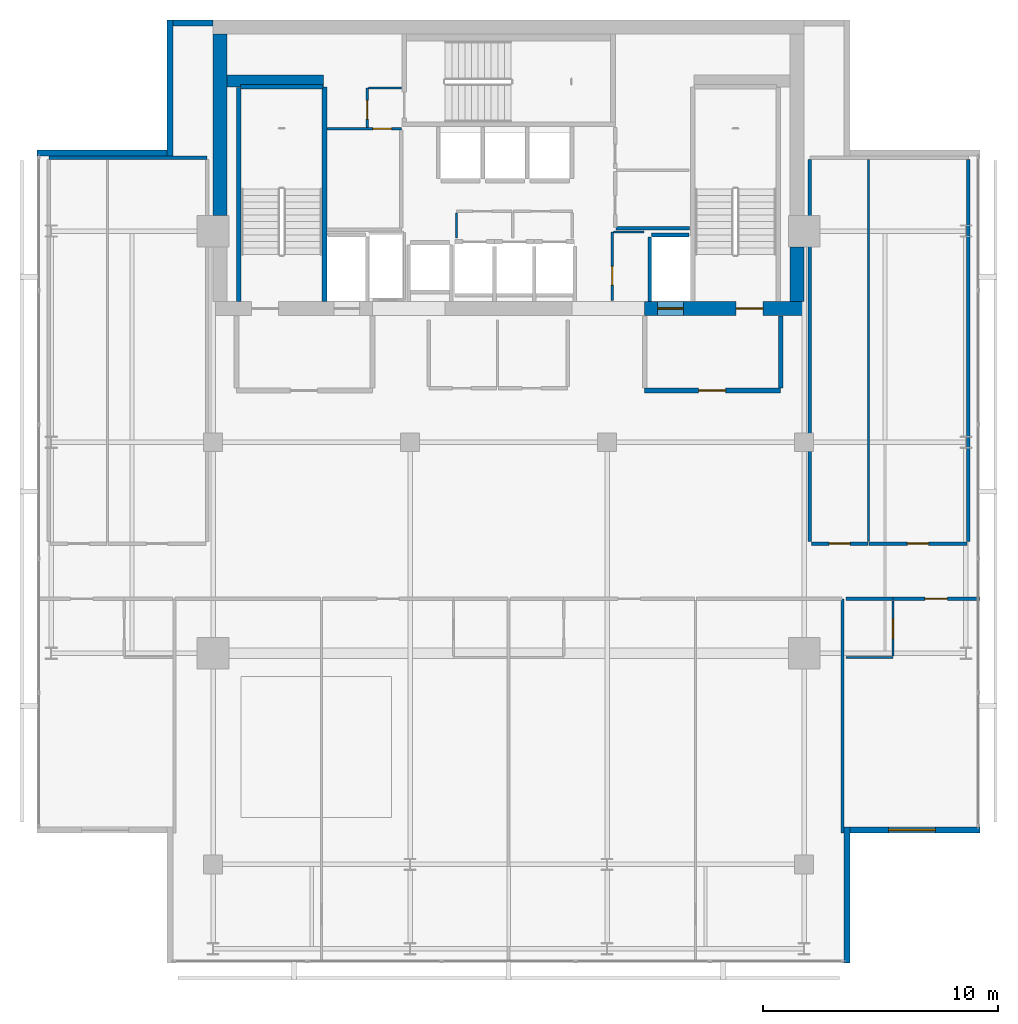
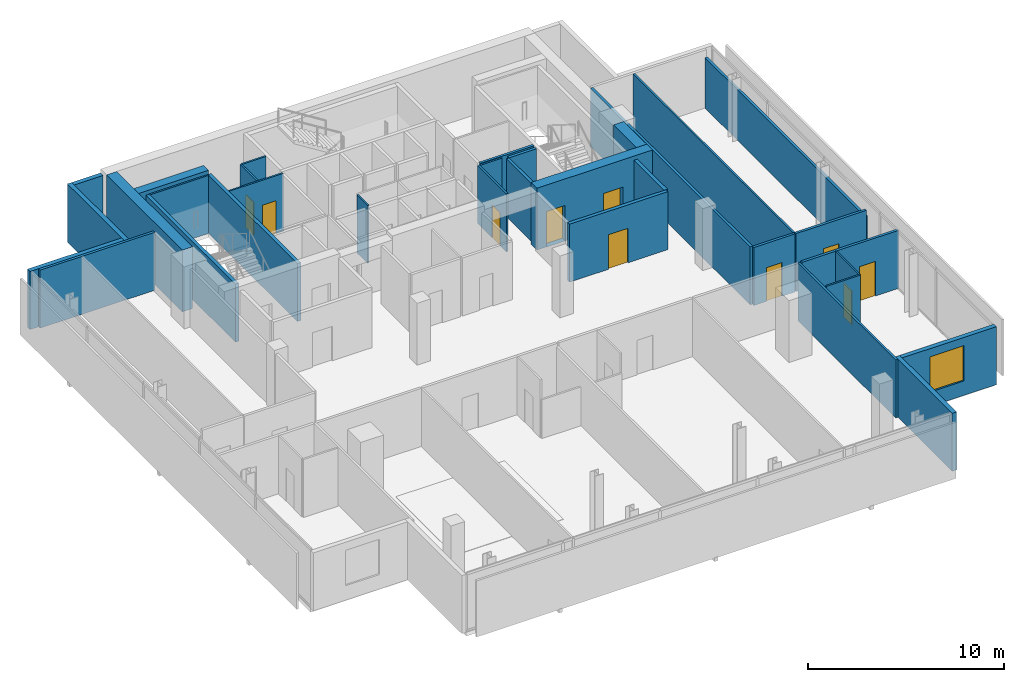
# One storey, part 18 of 23: 34 walls, 10 doors, 1 window, 11 openings.
"""IFC4 building model written with IfcOpenShell, lengths in metres."""

from ifc_helpers import new_model, si_unit, direction, frame, frame_2d, origin, place, context, subcontext, project, spatial, rectangle, extrude, material, layer, layer_set, type_object, element, fill, save


model = new_model("IFC4")

# Units and contexts
model_context = context("Model", 3, precision=1e-05, world=origin(), true_north=direction((0.0, 1.0)))
body_context = subcontext(model_context, "Body", "Model", "MODEL_VIEW")
ifc_project = project(units=[si_unit("LENGTHUNIT", "METRE"), si_unit("AREAUNIT", "SQUARE_METRE"), si_unit("VOLUMEUNIT", "CUBIC_METRE"), si_unit("PLANEANGLEUNIT", "RADIAN"), si_unit("MASSUNIT", "GRAM", prefix="KILO")], contexts=[model_context])

# Site, building, storey
site_placement = place(None, origin())
site = spatial("IfcSite", under=ifc_project, at=site_placement, CompositionType="ELEMENT")
building_placement = place(site_placement, origin())
building = spatial("IfcBuilding", under=site, at=building_placement, Name="Maruvema Waterfront Hotel and Observation Tower", CompositionType="ELEMENT")
storey_placement = place(building_placement, frame((0.0, 0.0, 337.39990234375)))
storey = spatial("IfcBuildingStorey", under=building, at=storey_placement, Name="L83", CompositionType="ELEMENT", Elevation=337.39990234375)

# Walls
ifc_material_1 = material(Name="Twin-stud acoustic gypsum drywall", Category="gypsum")
ifc_layer_1 = layer(ifc_material_1, 0.14990234375, Name="Acoustic Corridor and Suite Demising Wall 150 mm")
ifc_layer_set_1 = layer_set([ifc_layer_1], Name="Twin-stud acoustic gypsum drywall")
wall_type_1 = type_object("IfcWallType", Name="Acoustic Corridor and Suite Demising Wall 150 mm", PredefinedType="PARTITIONING", material=ifc_layer_set_1)
wall_1_placement = place(storey_placement, frame((42.3798828125, 45.1201171875, 0.0), z_axis=(0.0, 0.0, 1.0), x_axis=(1.0, 0.0, 0.0)))
element("IfcWall", 1, at=wall_1_placement, inside=storey, type_object=wall_type_1, Name="L83 Freed B2 South Wall 025", PredefinedType="PARTITIONING", context=body_context, shape_type="SweptSolid", body=[
    extrude(rectangle(XDim=3.14013671875, YDim=0.14990234375, at=frame_2d((1.570068359375, 0.0))), origin(), (0.0, 0.0, 1.0), 3.610107421875),
])
wall_2_placement = place(storey_placement, frame((18.199951171875, 48.125, 0.0), z_axis=(0.0, 0.0, 1.0), x_axis=(1.0, 0.0, 0.0)))
element("IfcWall", 2, at=wall_2_placement, inside=storey, type_object=wall_type_1, Name="L83 L83-Z4W Back Wall 031", PredefinedType="PARTITIONING", context=body_context, shape_type="SweptSolid", body=[
    extrude(rectangle(XDim=6.75, YDim=0.14990234375, at=frame_2d((3.375, 0.0))), origin(), (0.0, 0.0, 1.0), 3.610107421875),
])
wall_3_placement = place(storey_placement, frame((50.64990234375, 31.760009765625, 0.0), z_axis=(0.0, 0.0, 1.0), x_axis=(0.0, 1.0, 0.0)))
element("IfcWall", 3, at=wall_3_placement, inside=storey, type_object=wall_type_1, Name="L83 L83-Z4E West Wall 038", PredefinedType="PARTITIONING", context=body_context, shape_type="SweptSolid", body=[
    extrude(rectangle(XDim=16.284912109375, YDim=0.14990234375, at=frame_2d((8.142578125, 0.0))), origin(), (0.0, 0.0, 1.0), 3.610107421875),
])
wall_4_placement = place(storey_placement, frame((57.39990234375, 31.760009765625, 0.0), z_axis=(0.0, 0.0, 1.0), x_axis=(0.0, 1.0, 0.0)))
element("IfcWall", 4, at=wall_4_placement, inside=storey, type_object=wall_type_1, Name="L83 L83-Z4E East Wall 039", PredefinedType="PARTITIONING", context=body_context, shape_type="SweptSolid", body=[
    extrude(rectangle(XDim=16.284912109375, YDim=0.14990234375, at=frame_2d((8.142578125, 0.0))), origin(), (0.0, 0.0, 1.0), 3.14111328125),
])

# Wall, opening, door
wall_5_placement = place(storey_placement, frame((50.7099609375, 31.679931640625, 0.0), z_axis=(0.0, 0.0, 1.0), x_axis=(1.0, 0.0, 0.0)))
wall_5 = element("IfcWall", 5, at=wall_5_placement, inside=storey, type_object=wall_type_1, Name="L83 L83-Z4E Front 1 040", PredefinedType="PARTITIONING", context=body_context, shape_type="SweptSolid", body=[
    extrude(rectangle(XDim=2.407470703125, YDim=0.14990234375, at=frame_2d((1.20361328125, 0.0))), origin(), (0.0, 0.0, 1.0), 3.610107421875),
])
opening_1_placement = place(wall_5_placement, frame((0.753662109375, 0.0, 0.0)))
opening_1 = element("IfcOpeningElement", 6, at=opening_1_placement, cuts=wall_5, Name="Opening DR-090", PredefinedType="OPENING", context=body_context, shape_type="SweptSolid", body=[
    extrude(rectangle(XDim=0.89990234375, YDim=2.10009765625, at=frame_2d((0.449951171875, 1.050048828125))), frame((0.0, 0.0849609375, 0.0), z_axis=(0.0, -1.0, 0.0), x_axis=(1.0, 0.0, 0.0)), (0.0, 0.0, 1.0), 0.169921875),
])
ifc_material_2 = material(Name="Solid-core lacquered timber leaf", Category="wood")
door_type_1 = type_object("IfcDoorType", Name="Accessible Toilet and Room Door 900x2100 mm", OperationType="NOTDEFINED", PredefinedType="DOOR", material=ifc_material_2)
door_1_placement = place(opening_1_placement, frame((0.89990234375, 0.0, 0.0), z_axis=(0.0, 0.0, 1.0), x_axis=(-1.0, 0.0, 0.0)))
door_1 = element("IfcDoor", 7, at=door_1_placement, inside=storey, type_object=door_type_1, Name="L83 Diplomatic Study Office 1 Door", OperationType="SINGLE_SWING_LEFT", OverallHeight=2.10009765625, OverallWidth=0.89990234375, PredefinedType="DOOR", context=body_context, shape_type="SweptSolid", body=[
    extrude(rectangle(XDim=0.89990234375, YDim=2.10009765625, at=frame_2d((0.449951171875, 1.050048828125))), frame((0.0, 0.02490234375, 0.0), z_axis=(0.0, -1.0, 0.0), x_axis=(1.0, 0.0, 0.0)), (0.0, 0.0, 1.0), 0.050048828125),
])
fill(opening_1, door_1)

wall_6_placement = place(storey_placement, frame((53.177490234375, 31.679931640625, 0.0), z_axis=(0.0, 0.0, 1.0), x_axis=(1.0, 0.0, 0.0)))
wall_6 = element("IfcWall", 8, at=wall_6_placement, inside=storey, type_object=wall_type_1, Name="L83 L83-Z4E Front 2 042", PredefinedType="PARTITIONING", context=body_context, shape_type="SweptSolid", body=[
    extrude(rectangle(XDim=4.16259765625, YDim=0.14990234375, at=frame_2d((2.081298828125, 0.0))), origin(), (0.0, 0.0, 1.0), 3.610107421875),
])
opening_2_placement = place(wall_6_placement, frame((1.63134765625, 0.0, 0.0)))
opening_2 = element("IfcOpeningElement", 9, at=opening_2_placement, cuts=wall_6, Name="Opening DR-090", PredefinedType="OPENING", context=body_context, shape_type="SweptSolid", body=[
    extrude(rectangle(XDim=0.89990234375, YDim=2.10009765625, at=frame_2d((0.449951171875, 1.050048828125))), frame((0.0, 0.0849609375, 0.0), z_axis=(0.0, -1.0, 0.0), x_axis=(1.0, 0.0, 0.0)), (0.0, 0.0, 1.0), 0.169921875),
])
door_2_placement = place(opening_2_placement, frame((0.89990234375, 0.0, 0.0), z_axis=(0.0, 0.0, 1.0), x_axis=(-1.0, 0.0, 0.0)))
door_2 = element("IfcDoor", 10, at=door_2_placement, inside=storey, type_object=door_type_1, Name="L83 Diplomatic Study Office 2 Door", OperationType="SINGLE_SWING_RIGHT", OverallHeight=2.10009765625, OverallWidth=0.89990234375, PredefinedType="DOOR", context=body_context, shape_type="SweptSolid", body=[
    extrude(rectangle(XDim=0.89990234375, YDim=2.10009765625, at=frame_2d((0.449951171875, 1.050048828125))), frame((0.0, 0.02490234375, 0.0), z_axis=(0.0, -1.0, 0.0), x_axis=(1.0, 0.0, 0.0)), (0.0, 0.0, 1.0), 0.050048828125),
])
fill(opening_2, door_2)

# Wall
wall_7_placement = place(storey_placement, frame((52.18994140625, 29.320068359375, 0.0), z_axis=(0.0, 0.0, 1.0), x_axis=(1.0, 0.0, 0.0)))
element("IfcWall", 11, at=wall_7_placement, inside=storey, type_object=wall_type_1, Name="L83 Bath L83-SKE Back Wall 062", PredefinedType="PARTITIONING", context=body_context, shape_type="SweptSolid", body=[
    extrude(rectangle(XDim=2.0, YDim=0.14990234375, at=frame_2d((1.0, 0.0))), origin(), (0.0, 0.0, 1.0), 3.610107421875),
])

# Wall, opening, door
wall_8_placement = place(storey_placement, frame((54.18994140625, 29.320068359375, 0.0), z_axis=(0.0, 0.0, 1.0), x_axis=(1.0, 0.0, 0.0)))
wall_8 = element("IfcWall", 12, at=wall_8_placement, inside=storey, type_object=wall_type_1, Name="L83 Unit L83-SKE Corridor Wall 065", PredefinedType="PARTITIONING", context=body_context, shape_type="SweptSolid", body=[
    extrude(rectangle(XDim=3.68017578125, YDim=0.14990234375, at=frame_2d((1.840087890625, 0.0))), origin(), (0.0, 0.0, 1.0), 3.610107421875),
])
opening_3_placement = place(wall_8_placement, frame((1.364990234375, 0.0, 0.0)))
opening_3 = element("IfcOpeningElement", 13, at=opening_3_placement, cuts=wall_8, Name="Opening DR-095", PredefinedType="OPENING", context=body_context, shape_type="SweptSolid", body=[
    extrude(rectangle(XDim=0.949951171875, YDim=2.14990234375, at=frame_2d((0.47509765625, 1.074951171875))), frame((0.0, 0.0849609375, 0.0), z_axis=(0.0, -1.0, 0.0), x_axis=(1.0, 0.0, 0.0)), (0.0, 0.0, 1.0), 0.169921875),
])
ifc_material_3 = material(Name="Acoustic solid-core hardwood timber leaf", Category="wood")
door_type_2 = type_object("IfcDoorType", Name="Guestroom Entrance Fire Door 950x2150 mm", OperationType="NOTDEFINED", PredefinedType="DOOR", material=ifc_material_3)
door_3_placement = place(opening_3_placement, frame((0.949951171875, 0.0, 0.0), z_axis=(0.0, 0.0, 1.0), x_axis=(-1.0, 0.0, 0.0)))
door_3 = element("IfcDoor", 14, at=door_3_placement, inside=storey, type_object=door_type_2, Name="L83 Unit L83-SKE Entrance Door", OperationType="SINGLE_SWING_RIGHT", OverallHeight=2.14990234375, OverallWidth=0.949951171875, PredefinedType="DOOR", context=body_context, shape_type="SweptSolid", body=[
    extrude(rectangle(XDim=0.949951171875, YDim=2.14990234375, at=frame_2d((0.47509765625, 1.074951171875))), frame((0.0, 0.02490234375, 0.0), z_axis=(0.0, -1.0, 0.0), x_axis=(1.0, 0.0, 0.0)), (0.0, 0.0, 1.0), 0.050048828125),
])
fill(opening_3, door_3)

# Walls
ifc_material_4 = material(Name="Precast concrete C45/55", Category="concrete")
ifc_layer_2 = layer(ifc_material_4, 0.199951171875, Name="Core Shaft and Stairwell Enclosure Wall 200 mm")
ifc_layer_set_2 = layer_set([ifc_layer_2], Name="Precast concrete C45/55")
wall_type_2 = type_object("IfcWallType", Name="Core Shaft and Stairwell Enclosure Wall 200 mm", PredefinedType="SOLIDWALL", material=ifc_layer_set_2)
wall_9_placement = place(storey_placement, frame((29.949951171875, 42.0, 0.0), z_axis=(0.0, 0.0, 1.0), x_axis=(0.0, 1.0, 0.0)))
element("IfcWall", 15, at=wall_9_placement, inside=storey, type_object=wall_type_2, Name="L83 Stairwell ST-01 East Shaft Wall", PredefinedType="SOLIDWALL", context=body_context, shape_type="SweptSolid", body=[
    extrude(rectangle(XDim=9.14990234375, YDim=0.199951171875, at=frame_2d((4.574951171875, 0.0))), origin(), (0.0, 0.0, 1.0), 3.610107421875),
])
wall_10_placement = place(storey_placement, frame((26.300048828125, 42.0, 0.0), z_axis=(0.0, 0.0, 1.0), x_axis=(0.0, 1.0, 0.0)))
element("IfcWall", 16, at=wall_10_placement, inside=storey, type_object=wall_type_2, Name="L83 Stairwell ST-01 Shaft Lining Wall", PredefinedType="SOLIDWALL", context=body_context, shape_type="SweptSolid", body=[
    extrude(rectangle(XDim=9.1201171875, YDim=0.199951171875, at=frame_2d((4.56005859375, 0.0))), origin(), (0.0, 0.0, 1.0), 3.610107421875),
])
wall_11_placement = place(storey_placement, frame((26.3798828125, 51.14990234375, 0.0), z_axis=(0.0, 0.0, 1.0), x_axis=(1.0, 0.0, 0.0)))
element("IfcWall", 17, at=wall_11_placement, inside=storey, type_object=wall_type_2, Name="L83 Stairwell ST-01 Shaft Lining Wall", PredefinedType="SOLIDWALL", context=body_context, shape_type="SweptSolid", body=[
    extrude(rectangle(XDim=3.5, YDim=0.199951171875, at=frame_2d((1.75, 0.0))), origin(), (0.0, 0.0, 1.0), 3.610107421875),
])
ifc_material_5 = material(Name="Concrete C70/85", Category="concrete")
ifc_layer_3 = layer(ifc_material_5, 0.5, Name="Core Shear Wall 500 mm")
ifc_layer_set_3 = layer_set([ifc_layer_3], Name="Concrete C70/85")
wall_type_3 = type_object("IfcWallType", Name="Core Shear Wall 500 mm", PredefinedType="SHEAR", material=ifc_layer_set_3)
wall_12_placement = place(storey_placement, frame((25.800048828125, 51.39990234375, 0.0), z_axis=(0.0, 0.0, 1.0), x_axis=(1.0, 0.0, 0.0)))
element("IfcWall", 18, at=wall_12_placement, inside=storey, type_object=wall_type_3, Name="L83 Internal Core Shear Wall NW 500 mm", PredefinedType="SHEAR", context=body_context, shape_type="SweptSolid", body=[
    extrude(rectangle(XDim=4.099853515625, YDim=0.5, at=frame_2d((2.0498046875, 0.0))), origin(), (0.0, 0.0, 1.0), 3.85009765625),
])

# Wall, openings, doors
ifc_material_6 = material(Name="Concrete C60/75", Category="concrete")
ifc_layer_4 = layer(ifc_material_6, 0.60009765625, Name="Core Shear Wall 600 mm")
ifc_layer_set_4 = layer_set([ifc_layer_4], Name="Concrete C60/75")
wall_type_4 = type_object("IfcWallType", Name="Core Shear Wall 600 mm", PredefinedType="SHEAR", material=ifc_layer_set_4)
wall_13_placement = place(storey_placement, frame((43.60009765625, 41.699951171875, 0.0), z_axis=(0.0, 0.0, 1.0), x_axis=(1.0, 0.0, 0.0)))
wall_13 = element("IfcWall", 19, at=wall_13_placement, inside=storey, type_object=wall_type_4, Name="L83 South-East Core Shear Wall", PredefinedType="SHEAR", context=body_context, shape_type="SweptSolid", body=[
    extrude(rectangle(XDim=6.7998046875, YDim=0.60009765625, at=frame_2d((3.39990234375, 0.0))), origin(), (0.0, 0.0, 1.0), 3.85009765625),
])
opening_4_placement = place(wall_13_placement, frame((3.89990234375, 0.0, 0.0)))
opening_4 = element("IfcOpeningElement", 20, at=opening_4_placement, cuts=wall_13, Name="Opening SD-01", PredefinedType="OPENING", context=body_context, shape_type="SweptSolid", body=[
    extrude(rectangle(XDim=1.14990234375, YDim=2.14990234375, at=frame_2d((0.574951171875, 1.074951171875))), frame((0.0, 0.31005859375, 0.0), z_axis=(0.0, -1.0, 0.0), x_axis=(1.0, 0.0, 0.0)), (0.0, 0.0, 1.0), 0.6201171875),
])
opening_5_placement = place(wall_13_placement, frame((0.550048828125, 0.0, 0.0)))
opening_5 = element("IfcOpeningElement", 21, at=opening_5_placement, cuts=wall_13, Name="Opening LD-03", PredefinedType="OPENING", context=body_context, shape_type="SweptSolid", body=[
    extrude(rectangle(XDim=1.10009765625, YDim=2.199951171875, at=frame_2d((0.550048828125, 1.10009765625))), frame((0.0, 0.31005859375, 0.0), z_axis=(0.0, -1.0, 0.0), x_axis=(1.0, 0.0, 0.0)), (0.0, 0.0, 1.0), 0.6201171875),
])
ifc_material_7 = material(Name="Fire-rated galvanised steel leaf", Category="steel")
door_type_3 = type_object("IfcDoorType", Name="Exit Stair Fire Door 1150x2150 mm", OperationType="NOTDEFINED", PredefinedType="DOOR", material=ifc_material_7)
door_4_placement = place(opening_4_placement, origin())
door_4 = element("IfcDoor", 22, at=door_4_placement, inside=storey, type_object=door_type_3, Name="L83 Exit Stair ST-03 Fire Door", OperationType="SINGLE_SWING_RIGHT", OverallHeight=2.14990234375, OverallWidth=1.14990234375, PredefinedType="DOOR", context=body_context, shape_type="SweptSolid", body=[
    extrude(rectangle(XDim=1.14990234375, YDim=2.14990234375, at=frame_2d((0.574951171875, 1.074951171875))), frame((0.0, 0.02490234375, 0.0), z_axis=(0.0, -1.0, 0.0), x_axis=(1.0, 0.0, 0.0)), (0.0, 0.0, 1.0), 0.050048828125),
])
fill(opening_4, door_4)
ifc_material_8 = material(Name="Brushed stainless steel Grade 316", Category="steel")
door_type_4 = type_object("IfcDoorType", Name="Firefighting Lift Sliding Landing Door 1100x2200 mm", OperationType="SLIDING_TO_LEFT", PredefinedType="DOOR", material=ifc_material_8)
door_5_placement = place(opening_5_placement, frame((1.10009765625, 0.0, 0.0), z_axis=(0.0, 0.0, 1.0), x_axis=(-1.0, 0.0, 0.0)))
door_5 = element("IfcDoor", 23, at=door_5_placement, inside=storey, type_object=door_type_4, Name="L83 Firefighting Lift FL-02 Landing Door", OperationType="SLIDING_TO_LEFT", OverallHeight=2.199951171875, OverallWidth=1.10009765625, PredefinedType="DOOR", context=body_context, shape_type="SweptSolid", body=[
    extrude(rectangle(XDim=1.10009765625, YDim=2.199951171875, at=frame_2d((0.550048828125, 1.10009765625))), frame((0.0, 0.02490234375, 0.0), z_axis=(0.0, -1.0, 0.0), x_axis=(1.0, 0.0, 0.0)), (0.0, 0.0, 1.0), 0.050048828125),
])
fill(opening_5, door_5)

# Walls
wall_14_placement = place(storey_placement, frame((25.5, 45.675048828125, 0.0), z_axis=(0.0, 0.0, 1.0), x_axis=(0.0, 1.0, 0.0)))
element("IfcWall", 24, at=wall_14_placement, inside=storey, type_object=wall_type_4, Name="L83 West-North Core Shear Wall", PredefinedType="SHEAR", context=body_context, shape_type="SweptSolid", body=[
    extrude(rectangle(XDim=7.724853515625, YDim=0.60009765625, at=frame_2d((3.8623046875, 0.0))), origin(), (0.0, 0.0, 1.0), 3.85009765625),
])
wall_15_placement = place(storey_placement, frame((50.10009765625, 42.0, 0.0), z_axis=(0.0, 0.0, 1.0), x_axis=(0.0, 1.0, 0.0)))
element("IfcWall", 25, at=wall_15_placement, inside=storey, type_object=wall_type_4, Name="L83 East-South Core Shear Wall", PredefinedType="SHEAR", context=body_context, shape_type="SweptSolid", body=[
    extrude(rectangle(XDim=2.324951171875, YDim=0.60009765625, at=frame_2d((1.16259765625, 0.0))), origin(), (0.0, 0.0, 1.0), 3.85009765625),
])
ifc_material_9 = material(Name="Moisture-resistant cement-board drywall", Category="gypsum")
ifc_layer_5 = layer(ifc_material_9, 0.10009765625, Name="En-Suite Moisture-Resistant Partition 100 mm")
ifc_layer_set_5 = layer_set([ifc_layer_5], Name="Moisture-resistant cement-board drywall")
wall_type_5 = type_object("IfcWallType", Name="En-Suite Moisture-Resistant Partition 100 mm", PredefinedType="PARTITIONING", material=ifc_layer_set_5)
wall_16_placement = place(storey_placement, frame((35.580078125, 44.699951171875, 0.0), z_axis=(0.0, 0.0, 1.0), x_axis=(0.0, 1.0, 0.0)))
element("IfcWall", 26, at=wall_16_placement, inside=storey, type_object=wall_type_5, Name="L83 Core Closet K2 West 012", PredefinedType="PARTITIONING", context=body_context, shape_type="SweptSolid", body=[
    extrude(rectangle(XDim=1.080078125, YDim=0.10009765625, at=frame_2d((0.5400390625, 0.0))), origin(), (0.0, 0.0, 1.0), 3.610107421875),
])

# Wall, opening, door
wall_17_placement = place(storey_placement, frame((42.219970703125, 42.050048828125, 0.0), z_axis=(0.0, 0.0, 1.0), x_axis=(0.0, 1.0, 0.0)))
wall_17 = element("IfcWall", 27, at=wall_17_placement, inside=storey, type_object=wall_type_5, Name="L83 Core Closet K2C West 015", PredefinedType="PARTITIONING", context=body_context, shape_type="SweptSolid", body=[
    extrude(rectangle(XDim=2.909912109375, YDim=0.10009765625, at=frame_2d((1.455078125, 0.0))), origin(), (0.0, 0.0, 1.0), 3.610107421875),
])
opening_6_placement = place(wall_17_placement, frame((0.64990234375, 0.0, 0.0)))
opening_6 = element("IfcOpeningElement", 28, at=opening_6_placement, cuts=wall_17, Name="Opening DR-080", PredefinedType="OPENING", context=body_context, shape_type="SweptSolid", body=[
    extrude(rectangle(XDim=0.800048828125, YDim=2.050048828125, at=frame_2d((0.39990234375, 1.02490234375))), frame((0.0, 0.06005859375, 0.0), z_axis=(0.0, -1.0, 0.0), x_axis=(1.0, 0.0, 0.0)), (0.0, 0.0, 1.0), 0.1201171875),
])
ifc_material_10 = material(Name="Powder-coated steel access leaf", Category="steel")
door_type_5 = type_object("IfcDoorType", Name="Riser and Service Cupboard Door 800x2050 mm", OperationType="NOTDEFINED", PredefinedType="DOOR", material=ifc_material_10)
door_6_placement = place(opening_6_placement, frame((0.800048828125, 0.0, 0.0), z_axis=(0.0, 0.0, 1.0), x_axis=(-1.0, 0.0, 0.0)))
door_6 = element("IfcDoor", 29, at=door_6_placement, inside=storey, type_object=door_type_5, Name="L83 Core Housekeeping Closet Door", OperationType="SINGLE_SWING_RIGHT", OverallHeight=2.050048828125, OverallWidth=0.800048828125, PredefinedType="DOOR", context=body_context, shape_type="SweptSolid", body=[
    extrude(rectangle(XDim=0.800048828125, YDim=2.050048828125, at=frame_2d((0.39990234375, 1.02490234375))), frame((0.0, 0.02490234375, 0.0), z_axis=(0.0, -1.0, 0.0), x_axis=(1.0, 0.0, 0.0)), (0.0, 0.0, 1.0), 0.050048828125),
])
fill(opening_6, door_6)

# Wall
wall_18_placement = place(storey_placement, frame((42.280029296875, 44.9599609375, 0.0), z_axis=(0.0, 0.0, 1.0), x_axis=(1.0, 0.0, 0.0)))
element("IfcWall", 30, at=wall_18_placement, inside=storey, type_object=wall_type_5, Name="L83 Core Closet K2C North 016", PredefinedType="PARTITIONING", context=body_context, shape_type="SweptSolid", body=[
    extrude(rectangle(XDim=1.300048828125, YDim=0.10009765625, at=frame_2d((0.64990234375, 0.0))), origin(), (0.0, 0.0, 1.0), 3.610107421875),
])

# Wall, opening, door
wall_19_placement = place(storey_placement, frame((30.06005859375, 49.360107421875, 0.0), z_axis=(0.0, 0.0, 1.0), x_axis=(1.0, 0.0, 0.0)))
wall_19 = element("IfcWall", 31, at=wall_19_placement, inside=storey, type_object=wall_type_5, Name="L83 Freed B1 Mid Wall 019", PredefinedType="PARTITIONING", context=body_context, shape_type="SweptSolid", body=[
    extrude(rectangle(XDim=3.179931640625, YDim=0.10009765625, at=frame_2d((1.58984375, 0.0))), origin(), (0.0, 0.0, 1.0), 3.610107421875),
])
opening_7_placement = place(wall_19_placement, frame((1.949951171875, 0.0, 0.0)))
opening_7 = element("IfcOpeningElement", 32, at=opening_7_placement, cuts=wall_19, Name="Opening DR-080", PredefinedType="OPENING", context=body_context, shape_type="SweptSolid", body=[
    extrude(rectangle(XDim=0.800048828125, YDim=2.050048828125, at=frame_2d((0.39990234375, 1.02490234375))), frame((0.0, 0.06005859375, 0.0), z_axis=(0.0, -1.0, 0.0), x_axis=(1.0, 0.0, 0.0)), (0.0, 0.0, 1.0), 0.1201171875),
])
door_7_placement = place(opening_7_placement, origin())
door_7 = element("IfcDoor", 33, at=door_7_placement, inside=storey, type_object=door_type_5, Name="L83 Housekeeping and Linen Room Door", OperationType="SINGLE_SWING_LEFT", OverallHeight=2.050048828125, OverallWidth=0.800048828125, PredefinedType="DOOR", context=body_context, shape_type="SweptSolid", body=[
    extrude(rectangle(XDim=0.800048828125, YDim=2.050048828125, at=frame_2d((0.39990234375, 1.02490234375))), frame((0.0, 0.02490234375, 0.0), z_axis=(0.0, -1.0, 0.0), x_axis=(1.0, 0.0, 0.0)), (0.0, 0.0, 1.0), 0.050048828125),
])
fill(opening_7, door_7)

wall_20_placement = place(storey_placement, frame((31.780029296875, 49.419921875, 0.0), z_axis=(0.0, 0.0, 1.0), x_axis=(0.0, 1.0, 0.0)))
wall_20 = element("IfcWall", 34, at=wall_20_placement, inside=storey, type_object=wall_type_5, Name="L83 Freed B1 NW East Wall 020", PredefinedType="PARTITIONING", context=body_context, shape_type="SweptSolid", body=[
    extrude(rectangle(XDim=1.68017578125, YDim=0.10009765625, at=frame_2d((0.840087890625, 0.0))), origin(), (0.0, 0.0, 1.0), 3.610107421875),
])
opening_8_placement = place(wall_20_placement, frame((0.35009765625, 0.0, 0.0)))
opening_8 = element("IfcOpeningElement", 35, at=opening_8_placement, cuts=wall_20, Name="Opening DR-080", PredefinedType="OPENING", context=body_context, shape_type="SweptSolid", body=[
    extrude(rectangle(XDim=0.800048828125, YDim=2.050048828125, at=frame_2d((0.39990234375, 1.02490234375))), frame((0.0, 0.06005859375, 0.0), z_axis=(0.0, -1.0, 0.0), x_axis=(1.0, 0.0, 0.0)), (0.0, 0.0, 1.0), 0.1201171875),
])
door_8_placement = place(opening_8_placement, origin())
door_8 = element("IfcDoor", 36, at=door_8_placement, inside=storey, type_object=door_type_5, Name="L83 Guest Floor Pantry Door", OperationType="SINGLE_SWING_RIGHT", OverallHeight=2.050048828125, OverallWidth=0.800048828125, PredefinedType="DOOR", context=body_context, shape_type="SweptSolid", body=[
    extrude(rectangle(XDim=0.800048828125, YDim=2.050048828125, at=frame_2d((0.39990234375, 1.02490234375))), frame((0.0, 0.02490234375, 0.0), z_axis=(0.0, -1.0, 0.0), x_axis=(1.0, 0.0, 0.0)), (0.0, 0.0, 1.0), 0.050048828125),
])
fill(opening_8, door_8)

# Walls
wall_21_placement = place(storey_placement, frame((31.820068359375, 51.10009765625, 0.0), z_axis=(0.0, 0.0, 1.0), x_axis=(1.0, 0.0, 0.0)))
element("IfcWall", 37, at=wall_21_placement, inside=storey, type_object=wall_type_5, Name="L83 Freed B1 Vestibule North Wall 021", PredefinedType="PARTITIONING", context=body_context, shape_type="SweptSolid", body=[
    extrude(rectangle(XDim=1.419921875, YDim=0.10009765625, at=frame_2d((0.7099609375, 0.0))), origin(), (0.0, 0.0, 1.0), 3.610107421875),
])
wall_22_placement = place(storey_placement, frame((53.1474609375, 31.760009765625, 0.0), z_axis=(0.0, 0.0, 1.0), x_axis=(0.0, 1.0, 0.0)))
element("IfcWall", 38, at=wall_22_placement, inside=storey, type_object=wall_type_5, Name="L83 L83-Z4E Split 1 041", PredefinedType="PARTITIONING", context=body_context, shape_type="SweptSolid", body=[
    extrude(rectangle(XDim=16.284912109375, YDim=0.10009765625, at=frame_2d((8.142578125, 0.0))), origin(), (0.0, 0.0, 1.0), 3.610107421875),
])
wall_23_placement = place(storey_placement, frame((52.18994140625, 26.820068359375, 0.0), z_axis=(0.0, 0.0, 1.0), x_axis=(1.0, 0.0, 0.0)))
element("IfcWall", 39, at=wall_23_placement, inside=storey, type_object=wall_type_5, Name="L83 En-Suite L83-SKE South 063", PredefinedType="PARTITIONING", context=body_context, shape_type="SweptSolid", body=[
    extrude(rectangle(XDim=2.0, YDim=0.10009765625, at=frame_2d((1.0, 0.0))), origin(), (0.0, 0.0, 1.0), 3.610107421875),
])

# Wall, opening, door
wall_24_placement = place(storey_placement, frame((54.18994140625, 26.8798828125, 0.0), z_axis=(0.0, 0.0, 1.0), x_axis=(0.0, 1.0, 0.0)))
wall_24 = element("IfcWall", 40, at=wall_24_placement, inside=storey, type_object=wall_type_5, Name="L83 En-Suite L83-SKE East 064", PredefinedType="PARTITIONING", context=body_context, shape_type="SweptSolid", body=[
    extrude(rectangle(XDim=2.340087890625, YDim=0.10009765625, at=frame_2d((1.169921875, 0.0))), origin(), (0.0, 0.0, 1.0), 3.610107421875),
])
opening_9_placement = place(wall_24_placement, frame((0.7451171875, 0.0, 0.0)))
opening_9 = element("IfcOpeningElement", 41, at=opening_9_placement, cuts=wall_24, Name="Opening DR-085", PredefinedType="OPENING", context=body_context, shape_type="SweptSolid", body=[
    extrude(rectangle(XDim=0.85009765625, YDim=2.10009765625, at=frame_2d((0.425048828125, 1.050048828125))), frame((0.0, 0.06005859375, 0.0), z_axis=(0.0, -1.0, 0.0), x_axis=(1.0, 0.0, 0.0)), (0.0, 0.0, 1.0), 0.1201171875),
])
ifc_material_11 = material(Name="Moisture-resistant solid timber leaf", Category="wood")
door_type_6 = type_object("IfcDoorType", Name="En-Suite Bathroom Door 850x2100 mm", OperationType="NOTDEFINED", PredefinedType="DOOR", material=ifc_material_11)
door_9_placement = place(opening_9_placement, frame((0.85009765625, 0.0, 0.0), z_axis=(0.0, 0.0, 1.0), x_axis=(-1.0, 0.0, 0.0)))
door_9 = element("IfcDoor", 42, at=door_9_placement, inside=storey, type_object=door_type_6, Name="L83 En-Suite L83-SKE Door", OperationType="SINGLE_SWING_LEFT", OverallHeight=2.10009765625, OverallWidth=0.85009765625, PredefinedType="DOOR", context=body_context, shape_type="SweptSolid", body=[
    extrude(rectangle(XDim=0.85009765625, YDim=2.10009765625, at=frame_2d((0.425048828125, 1.050048828125))), frame((0.0, 0.02490234375, 0.0), z_axis=(0.0, -1.0, 0.0), x_axis=(1.0, 0.0, 0.0)), (0.0, 0.0, 1.0), 0.050048828125),
])
fill(opening_9, door_9)

# Wall
ifc_material_12 = material(Name="Precast concrete C45/55 with honed Pernambuco granite facing", Category="masonry")
ifc_layer_6 = layer(ifc_material_12, 0.260009765625, Name="Exterior Granite Clad Spandrel and Pier Wall 260 mm")
ifc_layer_set_6 = layer_set([ifc_layer_6], Name="Precast concrete C45/55 with honed Pernambuco granite facing")
wall_type_6 = type_object("IfcWallType", Name="Exterior Granite Clad Spandrel and Pier Wall 260 mm", PredefinedType="SOLIDWALL", material=ifc_layer_set_6)
wall_25_placement = place(storey_placement, frame((52.22998046875, 19.60009765625, 0.0), z_axis=(0.0, 0.0, 1.0), x_axis=(0.0, -1.0, 0.0)))
element("IfcWall", 43, at=wall_25_placement, inside=storey, type_object=wall_type_6, Name="L83 Corner Notch Granite Pier Wall SE1", PredefinedType="SOLIDWALL", context=body_context, shape_type="SweptSolid", body=[
    extrude(rectangle(XDim=5.800048828125, YDim=0.260009765625, at=frame_2d((2.89990234375, 0.0))), origin(), (0.0, 0.0, 1.0), 3.610107421875),
])

# Wall, opening, window
wall_26_placement = place(storey_placement, frame((57.89990234375, 19.469970703125, 0.0), z_axis=(0.0, 0.0, 1.0), x_axis=(-1.0, 0.0, 0.0)))
wall_26 = element("IfcWall", 44, at=wall_26_placement, inside=storey, type_object=wall_type_6, Name="L83 Corner Notch Granite Pier Wall SE2", PredefinedType="SOLIDWALL", context=body_context, shape_type="SweptSolid", body=[
    extrude(rectangle(XDim=5.7998046875, YDim=0.260009765625, at=frame_2d((2.89990234375, 0.0))), origin(), (0.0, 0.0, 1.0), 3.610107421875),
])
opening_10_placement = place(wall_26_placement, frame((1.89990234375, 0.0, 0.89990234375)))
opening_10 = element("IfcOpeningElement", 45, at=opening_10_placement, cuts=wall_26, Name="Opening WN-03", PredefinedType="OPENING", context=body_context, shape_type="SweptSolid", body=[
    extrude(rectangle(XDim=2.0, YDim=2.199951171875, at=frame_2d((1.0, 1.10009765625))), frame((0.0, 0.14013671875, 0.0), z_axis=(0.0, -1.0, 0.0), x_axis=(1.0, 0.0, 0.0)), (0.0, 0.0, 1.0), 0.280029296875),
])
ifc_material_13 = material(Name="Anodised bronze aluminium frame with laminated low-E glass", Category="aluminium")
window_type = type_object("IfcWindowType", Name="Sky Suite Panoramic Notch Window 2000x2200 mm", PartitioningType="SINGLE_PANEL", PredefinedType="WINDOW", material=ifc_material_13)
window_placement = place(opening_10_placement, origin())
window = element("IfcWindow", 46, at=window_placement, inside=storey, type_object=window_type, Name="L83 Corner Notch Punched Window SE2", OverallHeight=2.199951171875, OverallWidth=2.0, PartitioningType="SINGLE_PANEL", PredefinedType="WINDOW", context=body_context, shape_type="SweptSolid", body=[
    extrude(rectangle(XDim=2.0, YDim=2.199951171875, at=frame_2d((1.0, 1.10009765625))), frame((0.0, 0.030029296875, 0.0), z_axis=(0.0, -1.0, 0.0), x_axis=(1.0, 0.0, 0.0)), (0.0, 0.0, 1.0), 0.06005859375),
])
fill(opening_10, window)

# Walls
for number, where, z_axis, x_axis, name in (
    (47, (23.3701171875, 48.199951171875, 0.0), (0.0, 0.0, 1.0), (0.0, 1.0, 0.0), "L83 Corner Notch Granite Pier Wall NW1"),
    (48, (17.699951171875, 48.330078125, 0.0), (0.0, 0.0, 1.0), (1.0, 0.0, 0.0), "L83 Corner Notch Granite Pier Wall NW2"),
):
    element("IfcWall", number, at=place(storey_placement, frame(where, z_axis=z_axis, x_axis=x_axis)), inside=storey, type_object=wall_type_6, Name=name, PredefinedType="SOLIDWALL", context=body_context, shape_type="SweptSolid", body=[
        extrude(rectangle(XDim=5.800048828125, YDim=0.260009765625, at=frame_2d((2.89990234375, 0.0))), origin(), (0.0, 0.0, 1.0), 3.610107421875),
    ])
wall_27_placement = place(storey_placement, frame((25.199951171875, 53.8701171875, 0.0), z_axis=(0.0, 0.0, 1.0), x_axis=(-1.0, 0.0, 0.0)))
element("IfcWall", 49, at=wall_27_placement, inside=storey, type_object=wall_type_6, Name="L83 North-West Core Flanking Pier Wall", PredefinedType="SOLIDWALL", context=body_context, shape_type="SweptSolid", body=[
    extrude(rectangle(XDim=1.699951171875, YDim=0.260009765625, at=frame_2d((0.85009765625, 0.0))), origin(), (0.0, 0.0, 1.0), 3.610107421875),
])

# Wall, opening, door
ifc_material_14 = material(Name="Autoclaved cellular concrete blockwork", Category="masonry")
ifc_layer_7 = layer(ifc_material_14, 0.199951171875, Name="Fire Compartment Masonry Wall 200 mm")
ifc_layer_set_7 = layer_set([ifc_layer_7], Name="Autoclaved cellular concrete blockwork")
wall_type_7 = type_object("IfcWallType", Name="Fire Compartment Masonry Wall 200 mm", PredefinedType="PARTITIONING", material=ifc_layer_set_7)
wall_28_placement = place(storey_placement, frame((43.60009765625, 38.199951171875, 0.0), z_axis=(0.0, 0.0, 1.0), x_axis=(1.0, 0.0, 0.0)))
wall_28 = element("IfcWall", 50, at=wall_28_placement, inside=storey, type_object=wall_type_7, Name="L83 FFL East South Wall 004", PredefinedType="PARTITIONING", context=body_context, shape_type="SweptSolid", body=[
    extrude(rectangle(XDim=5.7998046875, YDim=0.199951171875, at=frame_2d((2.89990234375, 0.0))), origin(), (0.0, 0.0, 1.0), 3.610107421875),
])
opening_11_placement = place(wall_28_placement, frame((2.300048828125, 0.0, 0.0)))
opening_11 = element("IfcOpeningElement", 51, at=opening_11_placement, cuts=wall_28, Name="Opening FD-115", PredefinedType="OPENING", context=body_context, shape_type="SweptSolid", body=[
    extrude(rectangle(XDim=1.14990234375, YDim=2.14990234375, at=frame_2d((0.574951171875, 1.074951171875))), frame((0.0, 0.10986328125, 0.0), z_axis=(0.0, -1.0, 0.0), x_axis=(1.0, 0.0, 0.0)), (0.0, 0.0, 1.0), 0.219970703125),
])
ifc_material_15 = material(Name="Fire-rated galvanised steel and vision glass", Category="steel")
door_type_7 = type_object("IfcDoorType", Name="Firefighting Lobby Fire Door 1150x2150 mm", OperationType="NOTDEFINED", PredefinedType="DOOR", material=ifc_material_15)
door_10_placement = place(opening_11_placement, frame((1.14990234375, 0.0, 0.0), z_axis=(0.0, 0.0, 1.0), x_axis=(-1.0, 0.0, 0.0)))
door_10 = element("IfcDoor", 52, at=door_10_placement, inside=storey, type_object=door_type_7, Name="L83 Firefighting Lobby East Door", OperationType="SINGLE_SWING_RIGHT", OverallHeight=2.14990234375, OverallWidth=1.14990234375, PredefinedType="DOOR", context=body_context, shape_type="SweptSolid", body=[
    extrude(rectangle(XDim=1.14990234375, YDim=2.14990234375, at=frame_2d((0.574951171875, 1.074951171875))), frame((0.0, 0.02490234375, 0.0), z_axis=(0.0, -1.0, 0.0), x_axis=(1.0, 0.0, 0.0)), (0.0, 0.0, 1.0), 0.050048828125),
])
fill(opening_11, door_10)

# Walls
wall_29_placement = place(storey_placement, frame((49.39990234375, 38.31005859375, 0.0), z_axis=(0.0, 0.0, 1.0), x_axis=(0.0, 1.0, 0.0)))
element("IfcWall", 53, at=wall_29_placement, inside=storey, type_object=wall_type_7, Name="L83 FFL East East Wall 006", PredefinedType="PARTITIONING", context=body_context, shape_type="SweptSolid", body=[
    extrude(rectangle(XDim=3.06982421875, YDim=0.199951171875, at=frame_2d((1.534912109375, 0.0))), origin(), (0.0, 0.0, 1.0), 3.610107421875),
])
ifc_material_16 = material(Name="Acoustic gypsum plasterboard drywall", Category="gypsum")
ifc_layer_8 = layer(ifc_material_16, 0.125, Name="Guestroom Acoustic Demising Wall 125 mm")
ifc_layer_set_8 = layer_set([ifc_layer_8], Name="Acoustic gypsum plasterboard drywall")
wall_type_8 = type_object("IfcWallType", Name="Guestroom Acoustic Demising Wall 125 mm", PredefinedType="PARTITIONING", material=ifc_layer_set_8)
wall_30_placement = place(storey_placement, frame((52.03759765625, 19.340087890625, 0.0), z_axis=(0.0, 0.0, 1.0), x_axis=(0.0, 1.0, 0.0)))
element("IfcWall", 54, at=wall_30_placement, inside=storey, type_object=wall_type_8, Name="L83 Z4 S East End 044", PredefinedType="PARTITIONING", context=body_context, shape_type="SweptSolid", body=[
    extrude(rectangle(XDim=9.97998046875, YDim=0.125, at=frame_2d((4.989990234375, 0.0))), origin(), (0.0, 0.0, 1.0), 3.610107421875),
])
ifc_material_17 = material(Name="Precast concrete C45/55", Category="concrete")
ifc_layer_9 = layer(ifc_material_17, 0.159912109375, Name="Lift Hoistway Divider Wall 160 mm")
ifc_layer_set_9 = layer_set([ifc_layer_9], Name="Precast concrete C45/55")
wall_type_9 = type_object("IfcWallType", Name="Lift Hoistway Divider Wall 160 mm", PredefinedType="SOLIDWALL", material=ifc_layer_set_9)
wall_31_placement = place(storey_placement, frame((43.89990234375, 44.830078125, 0.0), z_axis=(0.0, 0.0, 1.0), x_axis=(1.0, 0.0, 0.0)))
element("IfcWall", 55, at=wall_31_placement, inside=storey, type_object=wall_type_9, Name="L83 Lift FL-02 Rear Hoistway Wall", PredefinedType="SOLIDWALL", context=body_context, shape_type="SweptSolid", body=[
    extrude(rectangle(XDim=1.60009765625, YDim=0.159912109375, at=frame_2d((0.800048828125, 0.0))), origin(), (0.0, 0.0, 1.0), 3.610107421875),
])
wall_32_placement = place(storey_placement, frame((43.820068359375, 42.0, 0.0), z_axis=(0.0, 0.0, 1.0), x_axis=(0.0, 1.0, 0.0)))
element("IfcWall", 56, at=wall_32_placement, inside=storey, type_object=wall_type_9, Name="L83 Lift FL-02 Inner Hoistway Wall", PredefinedType="SOLIDWALL", context=body_context, shape_type="SweptSolid", body=[
    extrude(rectangle(XDim=2.739990234375, YDim=0.159912109375, at=frame_2d((1.3701171875, 0.0))), origin(), (0.0, 0.0, 1.0), 3.610107421875),
])

save(model, "model.ifc")
